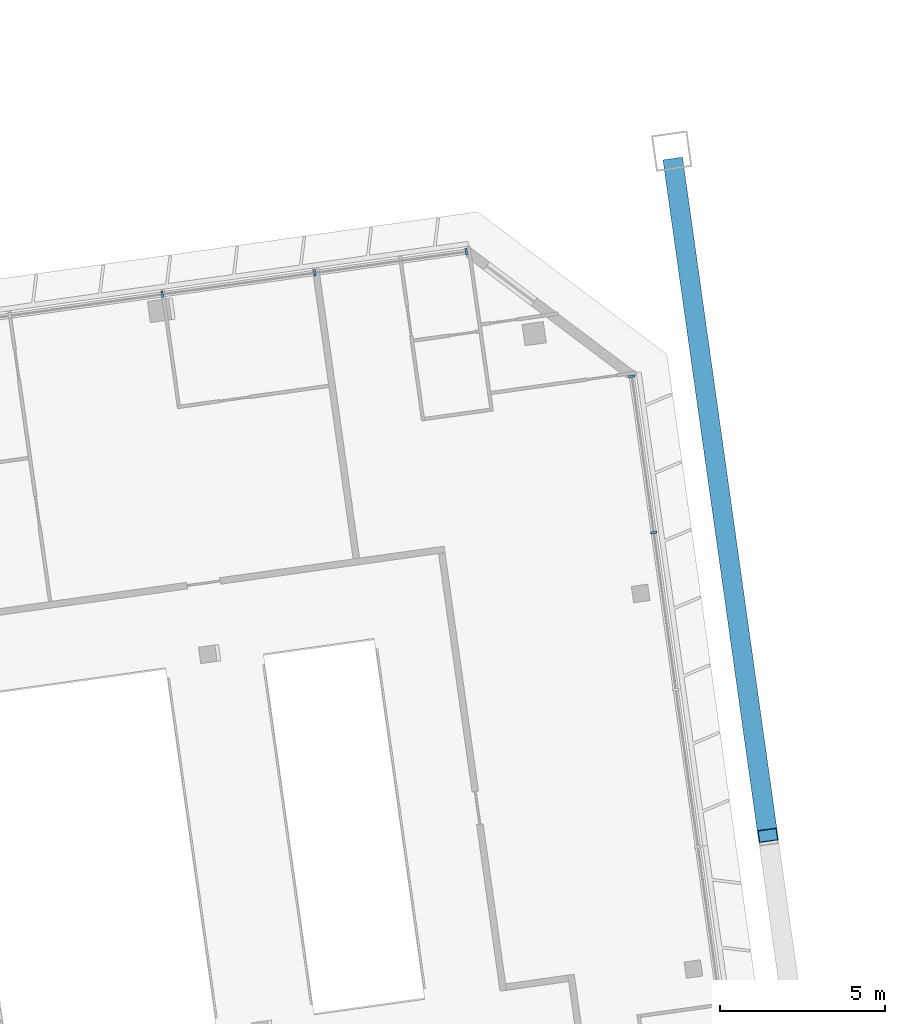
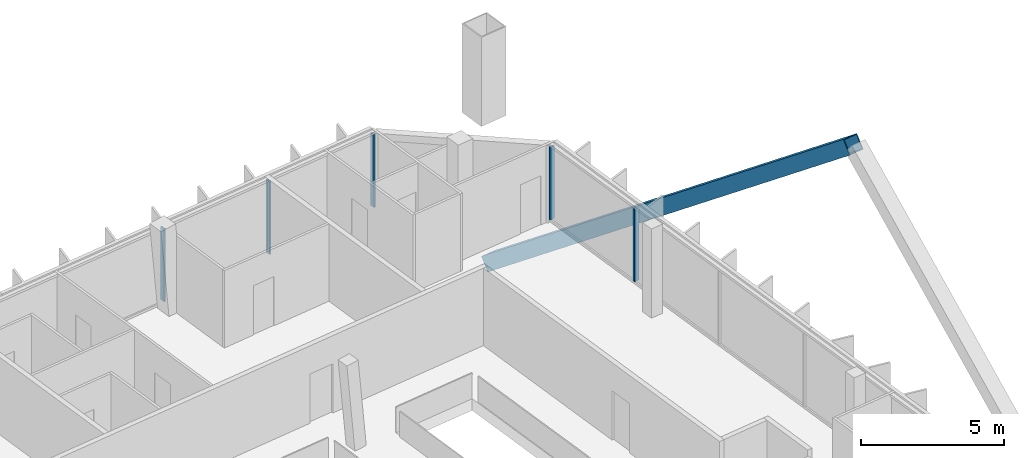
# One storey, part 12 of 28: 6 members, 2 elements without a shape of their own.
"""IFC4 building model written with IfcOpenShell, lengths in metres."""

from ifc_helpers import new_model, si_unit, direction, frame, origin, origin_2d, place, context, subcontext, project, spatial, rectangle, hollow_rectangle, extrude, material, material_profile, profile_set, type_object, element, aggregate, save


model = new_model("IFC4")

# Units and contexts
model_context = context("Model", 3, precision=1e-05, world=origin(), true_north=direction((0.0, 1.0)))
body_context = subcontext(model_context, "Body", "Model", "MODEL_VIEW")
ifc_project = project(units=[si_unit("LENGTHUNIT", "METRE"), si_unit("AREAUNIT", "SQUARE_METRE"), si_unit("VOLUMEUNIT", "CUBIC_METRE"), si_unit("PLANEANGLEUNIT", "RADIAN"), si_unit("MASSUNIT", "GRAM", prefix="KILO")], contexts=[model_context])

# Site, building, storey
site_placement = place(None, origin())
site = spatial("IfcSite", under=ifc_project, at=site_placement, CompositionType="ELEMENT")
building_placement = place(site_placement, origin())
building = spatial("IfcBuilding", under=site, at=building_placement, Name="Mirante Cascada Hotel Towers", CompositionType="ELEMENT")
storey_placement = place(building_placement, frame((0.0, 0.0, 262.2)))
storey = spatial("IfcBuildingStorey", under=building, at=storey_placement, Name="L63", CompositionType="ELEMENT", Elevation=262.2)

# Member
ifc_material_1 = material(Name="Steel ASTM A572 Gr 50", Category="steel")
ifc_material_profile_1 = material_profile(ifc_material_1, hollow_rectangle(XDim=0.6, YDim=0.6, WallThickness=0.028, at=origin_2d()), Name="Box brace 600x600x28 ASTM A572 Gr 50")
ifc_profile_set_1 = profile_set([ifc_material_profile_1], Name="Steel ASTM A572 Gr 50")
member_type_1 = type_object("IfcMemberType", Name="Box brace 600x600x28 ASTM A572 Gr 50", PredefinedType="BRACE", material=ifc_profile_set_1)
member_1_placement = place(storey_placement, frame((55.8527, 22.4223, -6.0485), z_axis=(0.1089729, -0.7753965, 0.6220009), x_axis=(0.9902684, 0.1391707, 0.0)))
element("IfcMember", 1, at=member_1_placement, inside=storey, type_object=member_type_1, Name="brace T2 L63 2", PredefinedType="BRACE", context=body_context, shape_type="SweptSolid", body=[
    extrude(hollow_rectangle(XDim=0.6, YDim=0.6, WallThickness=0.028, at=origin_2d()), origin(), (0.0, 0.0, 1.0), 26.2276),
])

# Curtain wall, members
ifc_material_2 = material(Name="Aluminium mullion and transom frame with clear laminated glass", Category="aluminium")
curtain_wall_type_1 = type_object("IfcCurtainWallType", Name="Ribbon curtain wall ECW1", PredefinedType="NOTDEFINED", material=ifc_material_2)
curtain_wall_1_placement = place(storey_placement, origin())
curtain_wall_1 = element("IfcCurtainWall", 2, at=curtain_wall_1_placement, inside=storey, type_object=curtain_wall_type_1, Name="Front ribbon wall T2 L63", PredefinedType="NOTDEFINED")
ifc_material_3 = material(Name="Anodised aluminium extrusion", Category="aluminium")
ifc_material_profile_2 = material_profile(ifc_material_3, rectangle(XDim=0.2, YDim=0.065, at=origin_2d()), Name="ECW1 MULLION 65x200")
ifc_profile_set_2 = profile_set([ifc_material_profile_2], Name="Anodised aluminium extrusion")
member_type_2 = type_object("IfcMemberType", Name="ECW1 mullion 65x200", PredefinedType="MULLION", material=ifc_profile_set_2)
member_2_placement = place(storey_placement, frame((49.5639, 19.7848, 0.1), z_axis=(0.0, 0.0, 1.0), x_axis=(0.1391731, -0.9902681, 0.0)))
member_2 = element("IfcMember", 3, at=member_2_placement, type_object=member_type_2, Name="ECW1 mullion 1", PredefinedType="MULLION", context=body_context, shape_type="SweptSolid", body=[
    extrude(rectangle(XDim=0.2, YDim=0.065, at=origin_2d()), origin(), (0.0, 0.0, 1.0), 3.1),
])
member_3_placement = place(storey_placement, frame((44.9719, 19.1394, 0.1), z_axis=(0.0, 0.0, 1.0), x_axis=(0.1391731, -0.9902681, 0.0)))
member_3 = element("IfcMember", 4, at=member_3_placement, type_object=member_type_2, Name="ECW1 mullion 2", PredefinedType="MULLION", context=body_context, shape_type="SweptSolid", body=[
    extrude(rectangle(XDim=0.2, YDim=0.065, at=origin_2d()), origin(), (0.0, 0.0, 1.0), 3.1),
])
member_4_placement = place(storey_placement, frame((40.3476, 18.4895, 0.1), z_axis=(0.0, 0.0, 1.0), x_axis=(0.1391731, -0.9902681, 0.0)))
member_4 = element("IfcMember", 5, at=member_4_placement, type_object=member_type_2, Name="ECW1 mullion 3", PredefinedType="MULLION", context=body_context, shape_type="SweptSolid", body=[
    extrude(rectangle(XDim=0.2, YDim=0.065, at=origin_2d()), origin(), (0.0, 0.0, 1.0), 3.1),
])
aggregate(curtain_wall_1, [member_2, member_3, member_4])

ifc_material_4 = material(Name="Aluminium mullion and transom frame with clear laminated glass", Category="aluminium")
curtain_wall_type_2 = type_object("IfcCurtainWallType", Name="End ribbon curtain wall ECW2", PredefinedType="NOTDEFINED", material=ifc_material_4)
curtain_wall_2_placement = place(storey_placement, origin())
curtain_wall_2 = element("IfcCurtainWall", 6, at=curtain_wall_2_placement, inside=storey, type_object=curtain_wall_type_2, Name="Outer end wall T2 L63", PredefinedType="NOTDEFINED")
ifc_material_5 = material(Name="Anodised aluminium extrusion", Category="aluminium")
ifc_material_profile_3 = material_profile(ifc_material_5, rectangle(XDim=0.2, YDim=0.065, at=origin_2d()), Name="ECW2 MULLION 65x200")
ifc_profile_set_3 = profile_set([ifc_material_profile_3], Name="Anodised aluminium extrusion")
member_type_3 = type_object("IfcMemberType", Name="ECW2 mullion 65x200", PredefinedType="MULLION", material=ifc_profile_set_3)
member_5_placement = place(storey_placement, frame((55.2491, 11.2684, 0.1), z_axis=(0.0, 0.0, 1.0), x_axis=(-0.9902681, -0.1391731, 0.0)))
member_5 = element("IfcMember", 7, at=member_5_placement, type_object=member_type_3, Name="ECW2 mullion 6", PredefinedType="MULLION", context=body_context, shape_type="SweptSolid", body=[
    extrude(rectangle(XDim=0.2, YDim=0.065, at=origin_2d()), origin(), (0.0, 0.0, 1.0), 3.1),
])
member_6_placement = place(storey_placement, frame((54.5839, 16.002, 0.1), z_axis=(0.0, 0.0, 1.0), x_axis=(-0.9902681, -0.1391731, 0.0)))
member_6 = element("IfcMember", 8, at=member_6_placement, type_object=member_type_3, Name="ECW2 mullion 7", PredefinedType="MULLION", context=body_context, shape_type="SweptSolid", body=[
    extrude(rectangle(XDim=0.2, YDim=0.065, at=origin_2d()), origin(), (0.0, 0.0, 1.0), 3.1),
])
aggregate(curtain_wall_2, [member_5, member_6])

save(model, "model.ifc")
